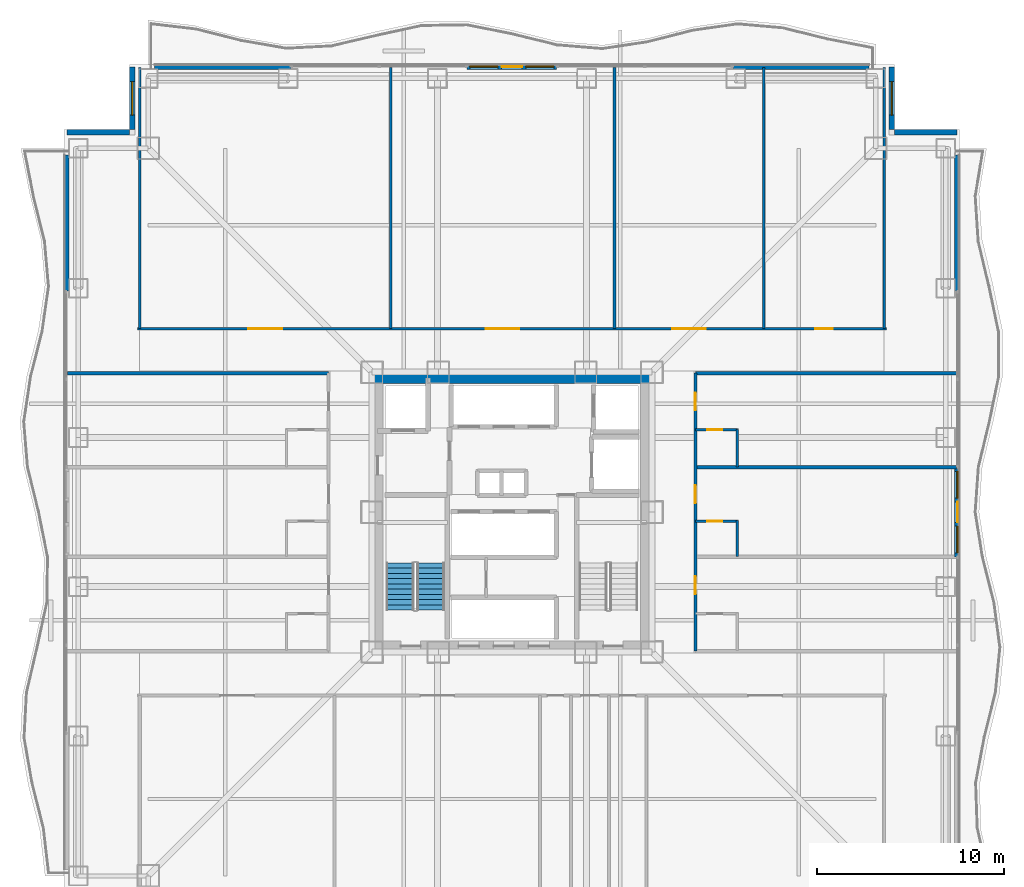
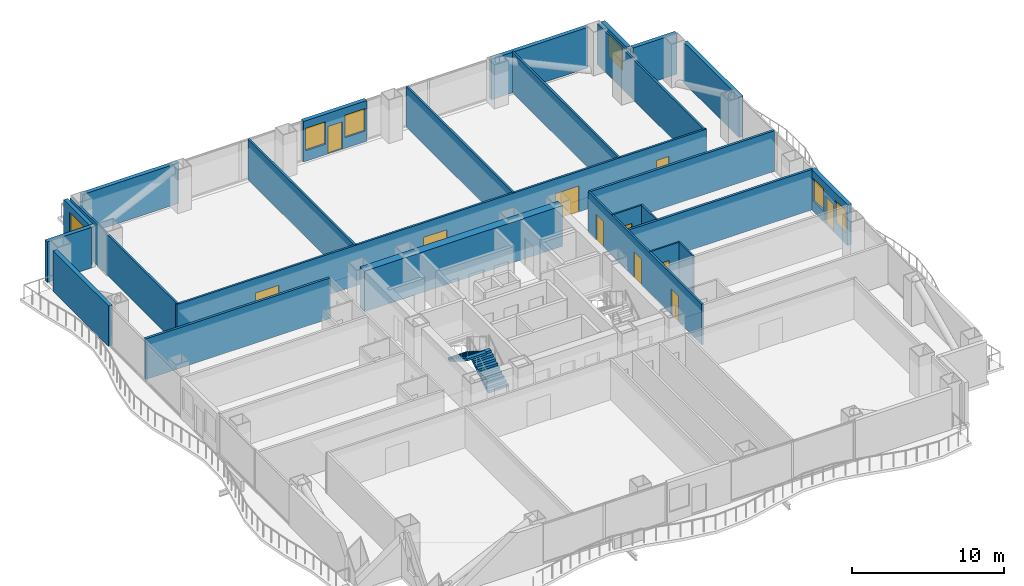
# One storey, part 16 of 24: 25 walls, 11 doors, 6 windows, 2 stair flights, 17 openings, 1 element without a shape of its own.
"""IFC4 building model written with IfcOpenShell, lengths in metres."""

from ifc_helpers import new_model, si_unit, direction, frame, frame_2d, origin, place, context, subcontext, project, spatial, polyline, rectangle, outline, extrude, material, layer, layer_set, type_object, element, fill, aggregate, save


model = new_model("IFC4")

# Units and contexts
model_context = context("Model", 3, precision=1e-05, world=origin(), true_north=direction((0.0, 1.0)))
body_context = subcontext(model_context, "Body", "Model", "MODEL_VIEW")
ifc_project = project(units=[si_unit("LENGTHUNIT", "METRE"), si_unit("AREAUNIT", "SQUARE_METRE"), si_unit("VOLUMEUNIT", "CUBIC_METRE"), si_unit("PLANEANGLEUNIT", "RADIAN"), si_unit("MASSUNIT", "GRAM", prefix="KILO")], contexts=[model_context])

# Site, building, storey
site_placement = place(None, origin())
site = spatial("IfcSite", under=ifc_project, at=site_placement, CompositionType="ELEMENT")
building_placement = place(site_placement, origin())
building = spatial("IfcBuilding", under=site, at=building_placement, Name="Trevonay Congress Spire", CompositionType="ELEMENT")
storey_placement = place(building_placement, frame((0.0, 0.0, 55.0)))
storey = spatial("IfcBuildingStorey", under=building, at=storey_placement, Name="L13", CompositionType="ELEMENT", Elevation=55.0)

# Wall, opening, door
ifc_material_1 = material(Name="Concrete C40/50", Category="concrete")
ifc_layer_1 = layer(ifc_material_1, 0.1201171875, Name="Concrete C40/50")
ifc_layer_set_1 = layer_set([ifc_layer_1], Name="Concrete C40/50")
wall_type_1 = type_object("IfcWallType", Name="WAL-BATH-120", PredefinedType="PLUMBINGWALL", material=ifc_layer_set_1)
wall_1_placement = place(storey_placement, frame((9.830078125, -0.487060546875, 0.0), z_axis=(0.0, 0.0, 1.0), x_axis=(1.0, 0.0, 0.0)))
wall_1 = element("IfcWall", 1, at=wall_1_placement, inside=storey, type_object=wall_type_1, Name="L13 interior wall WH-L13E-BS2", PredefinedType="PLUMBINGWALL", context=body_context, shape_type="SweptSolid", body=[
    extrude(rectangle(XDim=2.25, YDim=0.1201171875, at=frame_2d((1.125, 0.0))), origin(), (0.0, 0.0, 1.0), 3.25),
])
opening_1_placement = place(wall_1_placement, frame((0.64990234375, 0.0, 0.0)))
opening_1 = element("IfcOpeningElement", 2, at=opening_1_placement, cuts=wall_1, Name="Opening D11", PredefinedType="OPENING", context=body_context, shape_type="SweptSolid", body=[
    extrude(rectangle(XDim=0.800048828125, YDim=2.050048828125, at=frame_2d((0.39990234375, 1.02490234375))), frame((0.0, 0.070068359375, 0.0), z_axis=(0.0, -1.0, 0.0), x_axis=(1.0, 0.0, 0.0)), (0.0, 0.0, 1.0), 0.14013671875),
])
ifc_material_2 = material(Name="Pale Anodised Aluminium EN AW-6063-T6", Category="aluminium")
door_type_1 = type_object("IfcDoorType", Name="DOR-BATH-80", OperationType="NOTDEFINED", PredefinedType="DOOR", material=ifc_material_2)
door_1_placement = place(opening_1_placement, origin())
door_1 = element("IfcDoor", 3, at=door_1_placement, inside=storey, type_object=door_type_1, Name="L13 En-suite Bathroom Door", OperationType="SINGLE_SWING_LEFT", OverallHeight=2.050048828125, OverallWidth=0.800048828125, PredefinedType="DOOR", context=body_context, shape_type="SweptSolid", body=[
    extrude(rectangle(XDim=0.800048828125, YDim=2.050048828125, at=frame_2d((0.39990234375, 1.02490234375))), frame((0.0, 0.02490234375, 0.0), z_axis=(0.0, -1.0, 0.0), x_axis=(1.0, 0.0, 0.0)), (0.0, 0.0, 1.0), 0.050048828125),
])
fill(opening_1, door_1)

# Wall
wall_2_placement = place(storey_placement, frame((12.080078125, -2.3701171875, 0.0), z_axis=(0.0, 0.0, 1.0), x_axis=(0.0, 1.0, 0.0)))
element("IfcWall", 4, at=wall_2_placement, inside=storey, type_object=wall_type_1, Name="L13 interior wall WH-L13E-BF2", PredefinedType="PLUMBINGWALL", context=body_context, shape_type="SweptSolid", body=[
    extrude(rectangle(XDim=1.9130859375, YDim=0.1201171875, at=frame_2d((0.95654296875, 0.0))), origin(), (0.0, 0.0, 1.0), 3.25),
])

# Wall, opening, door
wall_3_placement = place(storey_placement, frame((9.830078125, 4.407958984375, 0.0), z_axis=(0.0, 0.0, 1.0), x_axis=(1.0, 0.0, 0.0)))
wall_3 = element("IfcWall", 5, at=wall_3_placement, inside=storey, type_object=wall_type_1, Name="L13 interior wall WH-L13E-BS3", PredefinedType="PLUMBINGWALL", context=body_context, shape_type="SweptSolid", body=[
    extrude(rectangle(XDim=2.25, YDim=0.1201171875, at=frame_2d((1.125, 0.0))), origin(), (0.0, 0.0, 1.0), 3.25),
])
opening_2_placement = place(wall_3_placement, frame((0.64990234375, 0.0, 0.0)))
opening_2 = element("IfcOpeningElement", 6, at=opening_2_placement, cuts=wall_3, Name="Opening D11", PredefinedType="OPENING", context=body_context, shape_type="SweptSolid", body=[
    extrude(rectangle(XDim=0.800048828125, YDim=2.050048828125, at=frame_2d((0.39990234375, 1.02490234375))), frame((0.0, 0.070068359375, 0.0), z_axis=(0.0, -1.0, 0.0), x_axis=(1.0, 0.0, 0.0)), (0.0, 0.0, 1.0), 0.14013671875),
])
door_2_placement = place(opening_2_placement, origin())
door_2 = element("IfcDoor", 7, at=door_2_placement, inside=storey, type_object=door_type_1, Name="L13 En-suite Bathroom Door", OperationType="SINGLE_SWING_RIGHT", OverallHeight=2.050048828125, OverallWidth=0.800048828125, PredefinedType="DOOR", context=body_context, shape_type="SweptSolid", body=[
    extrude(rectangle(XDim=0.800048828125, YDim=2.050048828125, at=frame_2d((0.39990234375, 1.02490234375))), frame((0.0, 0.02490234375, 0.0), z_axis=(0.0, -1.0, 0.0), x_axis=(1.0, 0.0, 0.0)), (0.0, 0.0, 1.0), 0.050048828125),
])
fill(opening_2, door_2)

# Walls
wall_4_placement = place(storey_placement, frame((12.080078125, 2.429931640625, 0.0), z_axis=(0.0, 0.0, 1.0), x_axis=(0.0, 1.0, 0.0)))
element("IfcWall", 8, at=wall_4_placement, inside=storey, type_object=wall_type_1, Name="L13 interior wall WH-L13E-BF3", PredefinedType="PLUMBINGWALL", context=body_context, shape_type="SweptSolid", body=[
    extrude(rectangle(XDim=2.008056640625, YDim=0.1201171875, at=frame_2d((1.00390625, 0.0))), origin(), (0.0, 0.0, 1.0), 3.25),
])
ifc_material_3 = material(Name="Concrete C60/75", Category="concrete")
ifc_layer_2 = layer(ifc_material_3, 0.60009765625, Name="Concrete C60/75")
ifc_layer_set_2 = layer_set([ifc_layer_2], Name="Concrete C60/75")
wall_type_2 = type_object("IfcWallType", Name="WAL-CORE-600", PredefinedType="SHEAR", material=ifc_layer_set_2)
wall_5_placement = place(storey_placement, frame((-7.5, 7.199951171875, 0.0), z_axis=(0.0, 0.0, 1.0), x_axis=(1.0, 0.0, 0.0)))
element("IfcWall", 9, at=wall_5_placement, inside=storey, type_object=wall_type_2, Name="L13 North structural core shear wall", PredefinedType="SHEAR", context=body_context, shape_type="SweptSolid", body=[
    extrude(rectangle(XDim=15.0, YDim=0.60009765625, at=frame_2d((7.5, 0.0))), origin(), (0.0, 0.0, 1.0), 3.25),
])

# Wall, openings, doors
ifc_layer_3 = layer(ifc_material_1, 0.14990234375, Name="Concrete C40/50")
ifc_layer_set_3 = layer_set([ifc_layer_3], Name="Concrete C40/50")
wall_type_3 = type_object("IfcWallType", Name="WAL-CORR-150", PredefinedType="PARTITIONING", material=ifc_layer_set_3)
wall_6_placement = place(storey_placement, frame((-20.070068359375, 9.830078125, 0.0), z_axis=(0.0, 0.0, 1.0), x_axis=(1.0, 0.0, 0.0)))
wall_6 = element("IfcWall", 10, at=wall_6_placement, inside=storey, type_object=wall_type_3, Name="L13 interior wall WP-L13N-COR", PredefinedType="PARTITIONING", context=body_context, shape_type="SweptSolid", body=[
    extrude(rectangle(XDim=40.14013671875, YDim=0.14990234375, at=frame_2d((20.070068359375, 0.0))), origin(), (0.0, 0.0, 1.0), 3.25),
])
opening_3_placement = place(wall_6_placement, frame((5.945068359375, 0.0, 0.0)))
opening_3 = element("IfcOpeningElement", 11, at=opening_3_placement, cuts=wall_6, Name="Opening D09", PredefinedType="OPENING", context=body_context, shape_type="SweptSolid", body=[
    extrude(rectangle(XDim=1.800048828125, YDim=2.080078125, at=frame_2d((0.89990234375, 1.0400390625))), frame((0.0, 0.0849609375, 0.0), z_axis=(0.0, -1.0, 0.0), x_axis=(1.0, 0.0, 0.0)), (0.0, 0.0, 1.0), 0.169921875),
])
opening_4_placement = place(wall_6_placement, frame((18.669921875, 0.0, 0.0)))
opening_4 = element("IfcOpeningElement", 12, at=opening_4_placement, cuts=wall_6, Name="Opening D09", PredefinedType="OPENING", context=body_context, shape_type="SweptSolid", body=[
    extrude(rectangle(XDim=1.800048828125, YDim=2.080078125, at=frame_2d((0.89990234375, 1.0400390625))), frame((0.0, 0.0849609375, 0.0), z_axis=(0.0, -1.0, 0.0), x_axis=(1.0, 0.0, 0.0)), (0.0, 0.0, 1.0), 0.169921875),
])
opening_5_placement = place(wall_6_placement, frame((28.669921875, 0.0, 0.0)))
opening_5 = element("IfcOpeningElement", 13, at=opening_5_placement, cuts=wall_6, Name="Opening D09", PredefinedType="OPENING", context=body_context, shape_type="SweptSolid", body=[
    extrude(rectangle(XDim=1.800048828125, YDim=2.080078125, at=frame_2d((0.89990234375, 1.0400390625))), frame((0.0, 0.0849609375, 0.0), z_axis=(0.0, -1.0, 0.0), x_axis=(1.0, 0.0, 0.0)), (0.0, 0.0, 1.0), 0.169921875),
])
opening_6_placement = place(wall_6_placement, frame((36.320068359375, 0.0, 0.0)))
opening_6 = element("IfcOpeningElement", 14, at=opening_6_placement, cuts=wall_6, Name="Opening D07", PredefinedType="OPENING", context=body_context, shape_type="SweptSolid", body=[
    extrude(rectangle(XDim=0.949951171875, YDim=2.06005859375, at=frame_2d((0.47509765625, 1.030029296875))), frame((0.0, 0.0849609375, 0.0), z_axis=(0.0, -1.0, 0.0), x_axis=(1.0, 0.0, 0.0)), (0.0, 0.0, 1.0), 0.169921875),
])
door_type_2 = type_object("IfcDoorType", Name="DOR-CONF-DBL", OperationType="DOUBLE_DOOR_SINGLE_SWING", PredefinedType="DOOR", material=ifc_material_2)
door_3_placement = place(opening_3_placement, origin())
door_3 = element("IfcDoor", 15, at=door_3_placement, inside=storey, type_object=door_type_2, Name="L13 Hotel Wellness Fitness Gym Door", OperationType="DOUBLE_DOOR_SINGLE_SWING", OverallHeight=2.080078125, OverallWidth=1.800048828125, PredefinedType="DOOR", context=body_context, shape_type="SweptSolid", body=[
    extrude(rectangle(XDim=1.800048828125, YDim=2.080078125, at=frame_2d((0.89990234375, 1.0400390625))), frame((0.0, 0.02490234375, 0.0), z_axis=(0.0, -1.0, 0.0), x_axis=(1.0, 0.0, 0.0)), (0.0, 0.0, 1.0), 0.050048828125),
])
fill(opening_3, door_3)
door_4_placement = place(opening_4_placement, origin())
door_4 = element("IfcDoor", 16, at=door_4_placement, inside=storey, type_object=door_type_2, Name="L13 Garden Terrace Brasserie Dining Door", OperationType="DOUBLE_DOOR_SINGLE_SWING", OverallHeight=2.080078125, OverallWidth=1.800048828125, PredefinedType="DOOR", context=body_context, shape_type="SweptSolid", body=[
    extrude(rectangle(XDim=1.800048828125, YDim=2.080078125, at=frame_2d((0.89990234375, 1.0400390625))), frame((0.0, 0.02490234375, 0.0), z_axis=(0.0, -1.0, 0.0), x_axis=(1.0, 0.0, 0.0)), (0.0, 0.0, 1.0), 0.050048828125),
])
fill(opening_4, door_4)
door_5_placement = place(opening_5_placement, origin())
door_5 = element("IfcDoor", 17, at=door_5_placement, inside=storey, type_object=door_type_2, Name="L13 Brasserie Show Kitchen Door", OperationType="DOUBLE_DOOR_SINGLE_SWING", OverallHeight=2.080078125, OverallWidth=1.800048828125, PredefinedType="DOOR", context=body_context, shape_type="SweptSolid", body=[
    extrude(rectangle(XDim=1.800048828125, YDim=2.080078125, at=frame_2d((0.89990234375, 1.0400390625))), frame((0.0, 0.02490234375, 0.0), z_axis=(0.0, -1.0, 0.0), x_axis=(1.0, 0.0, 0.0)), (0.0, 0.0, 1.0), 0.050048828125),
])
fill(opening_5, door_5)
door_type_3 = type_object("IfcDoorType", Name="DOR-OFFICE-95", OperationType="NOTDEFINED", PredefinedType="DOOR", material=ifc_material_2)
door_6_placement = place(opening_6_placement, origin())
door_6 = element("IfcDoor", 18, at=door_6_placement, inside=storey, type_object=door_type_3, Name="L13 Housekeeping and Linen Room Door", OperationType="SINGLE_SWING_LEFT", OverallHeight=2.06005859375, OverallWidth=0.949951171875, PredefinedType="DOOR", context=body_context, shape_type="SweptSolid", body=[
    extrude(rectangle(XDim=0.949951171875, YDim=2.06005859375, at=frame_2d((0.47509765625, 1.030029296875))), frame((0.0, 0.02490234375, 0.0), z_axis=(0.0, -1.0, 0.0), x_axis=(1.0, 0.0, 0.0)), (0.0, 0.0, 1.0), 0.050048828125),
])
fill(opening_6, door_6)

wall_7_placement = place(storey_placement, frame((9.830078125, -7.449951171875, 0.0), z_axis=(0.0, 0.0, 1.0), x_axis=(0.0, 1.0, 0.0)))
wall_7 = element("IfcWall", 19, at=wall_7_placement, inside=storey, type_object=wall_type_3, Name="L13 interior wall WH-L13E-COR", PredefinedType="PARTITIONING", context=body_context, shape_type="SweptSolid", body=[
    extrude(rectangle(XDim=14.89990234375, YDim=0.14990234375, at=frame_2d((7.449951171875, 0.0))), origin(), (0.0, 0.0, 1.0), 3.25),
])
opening_7_placement = place(wall_7_placement, frame((3.049072265625, 0.0, 0.0)))
opening_7 = element("IfcOpeningElement", 20, at=opening_7_placement, cuts=wall_7, Name="Opening D08", PredefinedType="OPENING", context=body_context, shape_type="SweptSolid", body=[
    extrude(rectangle(XDim=0.949951171875, YDim=2.080078125, at=frame_2d((0.47509765625, 1.0400390625))), frame((0.0, 0.0849609375, 0.0), z_axis=(0.0, -1.0, 0.0), x_axis=(1.0, 0.0, 0.0)), (0.0, 0.0, 1.0), 0.169921875),
])
opening_8_placement = place(wall_7_placement, frame((7.926513671875, 0.0, 0.0)))
opening_8 = element("IfcOpeningElement", 21, at=opening_8_placement, cuts=wall_7, Name="Opening D08", PredefinedType="OPENING", context=body_context, shape_type="SweptSolid", body=[
    extrude(rectangle(XDim=0.949951171875, YDim=2.080078125, at=frame_2d((0.47509765625, 1.0400390625))), frame((0.0, 0.0849609375, 0.0), z_axis=(0.0, -1.0, 0.0), x_axis=(1.0, 0.0, 0.0)), (0.0, 0.0, 1.0), 0.169921875),
])
opening_9_placement = place(wall_7_placement, frame((12.89892578125, 0.0, 0.0)))
opening_9 = element("IfcOpeningElement", 22, at=opening_9_placement, cuts=wall_7, Name="Opening D08", PredefinedType="OPENING", context=body_context, shape_type="SweptSolid", body=[
    extrude(rectangle(XDim=0.949951171875, YDim=2.080078125, at=frame_2d((0.47509765625, 1.0400390625))), frame((0.0, 0.0849609375, 0.0), z_axis=(0.0, -1.0, 0.0), x_axis=(1.0, 0.0, 0.0)), (0.0, 0.0, 1.0), 0.169921875),
])
door_type_4 = type_object("IfcDoorType", Name="DOR-SUITE-95", OperationType="NOTDEFINED", PredefinedType="DOOR", material=ifc_material_2)
door_7_placement = place(opening_7_placement, origin())
door_7 = element("IfcDoor", 23, at=door_7_placement, inside=storey, type_object=door_type_4, Name="L13 Corner Hotel Suite Entrance Door", OperationType="SINGLE_SWING_LEFT", OverallHeight=2.080078125, OverallWidth=0.949951171875, PredefinedType="DOOR", context=body_context, shape_type="SweptSolid", body=[
    extrude(rectangle(XDim=0.949951171875, YDim=2.080078125, at=frame_2d((0.47509765625, 1.0400390625))), frame((0.0, 0.02490234375, 0.0), z_axis=(0.0, -1.0, 0.0), x_axis=(1.0, 0.0, 0.0)), (0.0, 0.0, 1.0), 0.050048828125),
])
fill(opening_7, door_7)
door_8_placement = place(opening_8_placement, origin())
door_8 = element("IfcDoor", 24, at=door_8_placement, inside=storey, type_object=door_type_4, Name="L13 Corner Hotel Suite Entrance Door", OperationType="SINGLE_SWING_RIGHT", OverallHeight=2.080078125, OverallWidth=0.949951171875, PredefinedType="DOOR", context=body_context, shape_type="SweptSolid", body=[
    extrude(rectangle(XDim=0.949951171875, YDim=2.080078125, at=frame_2d((0.47509765625, 1.0400390625))), frame((0.0, 0.02490234375, 0.0), z_axis=(0.0, -1.0, 0.0), x_axis=(1.0, 0.0, 0.0)), (0.0, 0.0, 1.0), 0.050048828125),
])
fill(opening_8, door_8)
door_9_placement = place(opening_9_placement, origin())
door_9 = element("IfcDoor", 25, at=door_9_placement, inside=storey, type_object=door_type_4, Name="L13 Corner Hotel Suite Entrance Door", OperationType="SINGLE_SWING_LEFT", OverallHeight=2.080078125, OverallWidth=0.949951171875, PredefinedType="DOOR", context=body_context, shape_type="SweptSolid", body=[
    extrude(rectangle(XDim=0.949951171875, YDim=2.080078125, at=frame_2d((0.47509765625, 1.0400390625))), frame((0.0, 0.02490234375, 0.0), z_axis=(0.0, -1.0, 0.0), x_axis=(1.0, 0.0, 0.0)), (0.0, 0.0, 1.0), 0.050048828125),
])
fill(opening_9, door_9)

# Walls
ifc_material_4 = material(Name="Precast concrete C40/50", Category="concrete")
ifc_layer_4 = layer(ifc_material_4, 0.300048828125, Name="Precast concrete C40/50")
ifc_layer_set_4 = layer_set([ifc_layer_4], Name="Precast concrete C40/50")
wall_type_4 = type_object("IfcWallType", Name="WAL-EXT-PRECAST-300", PredefinedType="SOLIDWALL", material=ifc_layer_set_4)
for number, where, z_axis, x_axis, name in (
    (26, (-19.14990234375, 23.8798828125, 0.0), (0.0, 0.0, 1.0), (1.0, 0.0, 0.0), "L13 NL braced-bay exterior pier wall"),
    (27, (11.85009765625, 23.8798828125, 0.0), (0.0, 0.0, 1.0), (1.0, 0.0, 0.0), "L13 NR braced-bay exterior pier wall"),
):
    element("IfcWall", number, at=place(storey_placement, frame(where, z_axis=z_axis, x_axis=x_axis)), inside=storey, type_object=wall_type_4, Name=name, PredefinedType="SOLIDWALL", context=body_context, shape_type="SweptSolid", body=[
        extrude(rectangle(XDim=7.2998046875, YDim=0.300048828125, at=frame_2d((3.64990234375, 0.0))), origin(), (0.0, 0.0, 1.0), 3.25),
    ])

# Wall, openings, door, windows
wall_8_placement = place(storey_placement, frame((-2.39990234375, 23.8798828125, 0.0), z_axis=(0.0, 0.0, 1.0), x_axis=(1.0, 0.0, 0.0)))
wall_8 = element("IfcWall", 28, at=wall_8_placement, inside=storey, type_object=wall_type_4, Name="L13 N glazed balcony portal exterior wall", PredefinedType="SOLIDWALL", context=body_context, shape_type="SweptSolid", body=[
    extrude(rectangle(XDim=4.7998046875, YDim=0.300048828125, at=frame_2d((2.39990234375, 0.0))), origin(), (0.0, 0.0, 1.0), 3.25),
])
opening_10_placement = place(wall_8_placement, frame((1.85009765625, 0.0, 0.0)))
opening_10 = element("IfcOpeningElement", 29, at=opening_10_placement, cuts=wall_8, Name="Opening D03", PredefinedType="OPENING", context=body_context, shape_type="SweptSolid", body=[
    extrude(rectangle(XDim=1.10009765625, YDim=2.199951171875, at=frame_2d((0.550048828125, 1.10009765625))), frame((0.0, 0.16015625, 0.0), z_axis=(0.0, -1.0, 0.0), x_axis=(1.0, 0.0, 0.0)), (0.0, 0.0, 1.0), 0.320068359375),
])
opening_11_placement = place(wall_8_placement, frame((0.14990234375, 0.0, 0.85009765625)))
opening_11 = element("IfcOpeningElement", 30, at=opening_11_placement, cuts=wall_8, Name="Opening WN03", PredefinedType="OPENING", context=body_context, shape_type="SweptSolid", body=[
    extrude(rectangle(XDim=1.5, YDim=1.800048828125, at=frame_2d((0.75, 0.89990234375))), frame((0.0, 0.16015625, 0.0), z_axis=(0.0, -1.0, 0.0), x_axis=(1.0, 0.0, 0.0)), (0.0, 0.0, 1.0), 0.320068359375),
])
opening_12_placement = place(wall_8_placement, frame((3.14990234375, 0.0, 0.85009765625)))
opening_12 = element("IfcOpeningElement", 31, at=opening_12_placement, cuts=wall_8, Name="Opening WN03", PredefinedType="OPENING", context=body_context, shape_type="SweptSolid", body=[
    extrude(rectangle(XDim=1.5, YDim=1.800048828125, at=frame_2d((0.75, 0.89990234375))), frame((0.0, 0.16015625, 0.0), z_axis=(0.0, -1.0, 0.0), x_axis=(1.0, 0.0, 0.0)), (0.0, 0.0, 1.0), 0.320068359375),
])
door_type_5 = type_object("IfcDoorType", Name="DOR-EXT-BAL-110", OperationType="NOTDEFINED", PredefinedType="DOOR", material=ifc_material_2)
door_10_placement = place(opening_10_placement, origin())
door_10 = element("IfcDoor", 32, at=door_10_placement, inside=storey, type_object=door_type_5, Name="L13 N glazed outdoor terrace and balcony door", OperationType="SINGLE_SWING_RIGHT", OverallHeight=2.199951171875, OverallWidth=1.10009765625, PredefinedType="DOOR", context=body_context, shape_type="SweptSolid", body=[
    extrude(rectangle(XDim=1.10009765625, YDim=2.199951171875, at=frame_2d((0.550048828125, 1.10009765625))), frame((0.0, 0.02490234375, 0.0), z_axis=(0.0, -1.0, 0.0), x_axis=(1.0, 0.0, 0.0)), (0.0, 0.0, 1.0), 0.050048828125),
])
fill(opening_10, door_10)
ifc_material_5 = material(Name="Insulated Low-E Vision Glass IGU", Category="glass")
window_type_1 = type_object("IfcWindowType", Name="WIN-NOTCH-150X180", PartitioningType="SINGLE_PANEL", PredefinedType="WINDOW", material=ifc_material_5)
window_1_placement = place(opening_11_placement, origin())
window_1 = element("IfcWindow", 33, at=window_1_placement, inside=storey, type_object=window_type_1, Name="L13 N balcony sidelight window L", OverallHeight=1.800048828125, OverallWidth=1.5, PartitioningType="SINGLE_PANEL", PredefinedType="WINDOW", context=body_context, shape_type="SweptSolid", body=[
    extrude(rectangle(XDim=1.5, YDim=1.800048828125, at=frame_2d((0.75, 0.89990234375))), frame((0.0, 0.030029296875, 0.0), z_axis=(0.0, -1.0, 0.0), x_axis=(1.0, 0.0, 0.0)), (0.0, 0.0, 1.0), 0.06005859375),
])
fill(opening_11, window_1)
window_2_placement = place(opening_12_placement, origin())
window_2 = element("IfcWindow", 34, at=window_2_placement, inside=storey, type_object=window_type_1, Name="L13 N balcony sidelight window R", OverallHeight=1.800048828125, OverallWidth=1.5, PartitioningType="SINGLE_PANEL", PredefinedType="WINDOW", context=body_context, shape_type="SweptSolid", body=[
    extrude(rectangle(XDim=1.5, YDim=1.800048828125, at=frame_2d((0.75, 0.89990234375))), frame((0.0, 0.030029296875, 0.0), z_axis=(0.0, -1.0, 0.0), x_axis=(1.0, 0.0, 0.0)), (0.0, 0.0, 1.0), 0.06005859375),
])
fill(opening_12, window_2)

# Walls
for number, where, z_axis, x_axis, name in (
    (35, (-23.8798828125, 11.85009765625, 0.0), (0.0, 0.0, 1.0), (0.0, 1.0, 0.0), "L13 WR braced-bay exterior pier wall"),
    (36, (23.8798828125, 11.85009765625, 0.0), (0.0, 0.0, 1.0), (0.0, 1.0, 0.0), "L13 ER braced-bay exterior pier wall"),
):
    element("IfcWall", number, at=place(storey_placement, frame(where, z_axis=z_axis, x_axis=x_axis)), inside=storey, type_object=wall_type_4, Name=name, PredefinedType="SOLIDWALL", context=body_context, shape_type="SweptSolid", body=[
        extrude(rectangle(XDim=7.2998046875, YDim=0.300048828125, at=frame_2d((3.64990234375, 0.0))), origin(), (0.0, 0.0, 1.0), 3.25),
    ])

# Wall, openings, door, windows
wall_9_placement = place(storey_placement, frame((23.8798828125, -2.39990234375, 0.0), z_axis=(0.0, 0.0, 1.0), x_axis=(0.0, 1.0, 0.0)))
wall_9 = element("IfcWall", 37, at=wall_9_placement, inside=storey, type_object=wall_type_4, Name="L13 E glazed balcony portal exterior wall", PredefinedType="SOLIDWALL", context=body_context, shape_type="SweptSolid", body=[
    extrude(rectangle(XDim=4.7998046875, YDim=0.300048828125, at=frame_2d((2.39990234375, 0.0))), origin(), (0.0, 0.0, 1.0), 3.25),
])
opening_13_placement = place(wall_9_placement, frame((1.85009765625, 0.0, 0.0)))
opening_13 = element("IfcOpeningElement", 38, at=opening_13_placement, cuts=wall_9, Name="Opening D03", PredefinedType="OPENING", context=body_context, shape_type="SweptSolid", body=[
    extrude(rectangle(XDim=1.10009765625, YDim=2.199951171875, at=frame_2d((0.550048828125, 1.10009765625))), frame((0.0, 0.16015625, 0.0), z_axis=(0.0, -1.0, 0.0), x_axis=(1.0, 0.0, 0.0)), (0.0, 0.0, 1.0), 0.320068359375),
])
opening_14_placement = place(wall_9_placement, frame((0.219970703125, 0.0, 0.85009765625)))
opening_14 = element("IfcOpeningElement", 39, at=opening_14_placement, cuts=wall_9, Name="Opening WN06", PredefinedType="OPENING", context=body_context, shape_type="SweptSolid", body=[
    extrude(rectangle(XDim=1.429931640625, YDim=1.800048828125, at=frame_2d((0.71484375, 0.89990234375))), frame((0.0, 0.16015625, 0.0), z_axis=(0.0, -1.0, 0.0), x_axis=(1.0, 0.0, 0.0)), (0.0, 0.0, 1.0), 0.320068359375),
])
opening_15_placement = place(wall_9_placement, frame((3.14990234375, 0.0, 0.85009765625)))
opening_15 = element("IfcOpeningElement", 40, at=opening_15_placement, cuts=wall_9, Name="Opening WN06", PredefinedType="OPENING", context=body_context, shape_type="SweptSolid", body=[
    extrude(rectangle(XDim=1.429931640625, YDim=1.800048828125, at=frame_2d((0.71484375, 0.89990234375))), frame((0.0, 0.16015625, 0.0), z_axis=(0.0, -1.0, 0.0), x_axis=(1.0, 0.0, 0.0)), (0.0, 0.0, 1.0), 0.320068359375),
])
door_11_placement = place(opening_13_placement, origin())
door_11 = element("IfcDoor", 41, at=door_11_placement, inside=storey, type_object=door_type_5, Name="L13 E glazed outdoor terrace and balcony door", OperationType="SINGLE_SWING_RIGHT", OverallHeight=2.199951171875, OverallWidth=1.10009765625, PredefinedType="DOOR", context=body_context, shape_type="SweptSolid", body=[
    extrude(rectangle(XDim=1.10009765625, YDim=2.199951171875, at=frame_2d((0.550048828125, 1.10009765625))), frame((0.0, 0.02490234375, 0.0), z_axis=(0.0, -1.0, 0.0), x_axis=(1.0, 0.0, 0.0)), (0.0, 0.0, 1.0), 0.050048828125),
])
fill(opening_13, door_11)
window_type_2 = type_object("IfcWindowType", Name="WIN-SIDELIGHT-143X180", PartitioningType="SINGLE_PANEL", PredefinedType="WINDOW", material=ifc_material_5)
window_3_placement = place(opening_14_placement, origin())
window_3 = element("IfcWindow", 42, at=window_3_placement, inside=storey, type_object=window_type_2, Name="L13 E balcony sidelight window L", OverallHeight=1.800048828125, OverallWidth=1.429931640625, PartitioningType="SINGLE_PANEL", PredefinedType="WINDOW", context=body_context, shape_type="SweptSolid", body=[
    extrude(rectangle(XDim=1.429931640625, YDim=1.800048828125, at=frame_2d((0.71484375, 0.89990234375))), frame((0.0, 0.030029296875, 0.0), z_axis=(0.0, -1.0, 0.0), x_axis=(1.0, 0.0, 0.0)), (0.0, 0.0, 1.0), 0.06005859375),
])
fill(opening_14, window_3)
window_4_placement = place(opening_15_placement, origin())
window_4 = element("IfcWindow", 43, at=window_4_placement, inside=storey, type_object=window_type_2, Name="L13 E balcony sidelight window R", OverallHeight=1.800048828125, OverallWidth=1.429931640625, PartitioningType="SINGLE_PANEL", PredefinedType="WINDOW", context=body_context, shape_type="SweptSolid", body=[
    extrude(rectangle(XDim=1.429931640625, YDim=1.800048828125, at=frame_2d((0.71484375, 0.89990234375))), frame((0.0, 0.030029296875, 0.0), z_axis=(0.0, -1.0, 0.0), x_axis=(1.0, 0.0, 0.0)), (0.0, 0.0, 1.0), 0.06005859375),
])
fill(opening_15, window_4)

# Wall, opening, window
wall_10_placement = place(storey_placement, frame((20.35009765625, 23.85009765625, 0.0), z_axis=(0.0, 0.0, 1.0), x_axis=(0.0, -1.0, 0.0)))
wall_10 = element("IfcWall", 44, at=wall_10_placement, inside=storey, type_object=wall_type_4, Name="L13 NE re-entrant notch exterior wall 1", PredefinedType="SOLIDWALL", context=body_context, shape_type="SweptSolid", body=[
    extrude(rectangle(XDim=3.35009765625, YDim=0.300048828125, at=frame_2d((1.675048828125, 0.0))), origin(), (0.0, 0.0, 1.0), 3.25),
])
opening_16_placement = place(wall_10_placement, frame((0.77490234375, 0.0, 0.89990234375)))
opening_16 = element("IfcOpeningElement", 45, at=opening_16_placement, cuts=wall_10, Name="Opening WN01", PredefinedType="OPENING", context=body_context, shape_type="SweptSolid", body=[
    extrude(rectangle(XDim=1.800048828125, YDim=1.800048828125, at=frame_2d((0.89990234375, 0.89990234375))), frame((0.0, 0.16015625, 0.0), z_axis=(0.0, -1.0, 0.0), x_axis=(1.0, 0.0, 0.0)), (0.0, 0.0, 1.0), 0.320068359375),
])
window_type_3 = type_object("IfcWindowType", Name="WIN-HOTEL-180X180", PartitioningType="SINGLE_PANEL", PredefinedType="WINDOW", material=ifc_material_5)
window_5_placement = place(opening_16_placement, origin())
window_5 = element("IfcWindow", 46, at=window_5_placement, inside=storey, type_object=window_type_3, Name="L13 NE corner notch window", OverallHeight=1.800048828125, OverallWidth=1.800048828125, PartitioningType="SINGLE_PANEL", PredefinedType="WINDOW", context=body_context, shape_type="SweptSolid", body=[
    extrude(rectangle(XDim=1.800048828125, YDim=1.800048828125, at=frame_2d((0.89990234375, 0.89990234375))), frame((0.0, 0.030029296875, 0.0), z_axis=(0.0, -1.0, 0.0), x_axis=(1.0, 0.0, 0.0)), (0.0, 0.0, 1.0), 0.06005859375),
])
fill(opening_16, window_5)

# Wall
wall_11_placement = place(storey_placement, frame((23.85009765625, 20.35009765625, 0.0), z_axis=(0.0, 0.0, 1.0), x_axis=(-1.0, 0.0, 0.0)))
element("IfcWall", 47, at=wall_11_placement, inside=storey, type_object=wall_type_4, Name="L13 NE re-entrant notch exterior wall 2", PredefinedType="SOLIDWALL", context=body_context, shape_type="SweptSolid", body=[
    extrude(rectangle(XDim=3.35009765625, YDim=0.300048828125, at=frame_2d((1.675048828125, 0.0))), origin(), (0.0, 0.0, 1.0), 3.25),
])

# Wall, opening, window
wall_12_placement = place(storey_placement, frame((-20.35009765625, 23.85009765625, 0.0), z_axis=(0.0, 0.0, 1.0), x_axis=(0.0, -1.0, 0.0)))
wall_12 = element("IfcWall", 48, at=wall_12_placement, inside=storey, type_object=wall_type_4, Name="L13 NW re-entrant notch exterior wall 1", PredefinedType="SOLIDWALL", context=body_context, shape_type="SweptSolid", body=[
    extrude(rectangle(XDim=3.35009765625, YDim=0.300048828125, at=frame_2d((1.675048828125, 0.0))), origin(), (0.0, 0.0, 1.0), 3.25),
])
opening_17_placement = place(wall_12_placement, frame((0.77490234375, 0.0, 0.89990234375)))
opening_17 = element("IfcOpeningElement", 49, at=opening_17_placement, cuts=wall_12, Name="Opening WN01", PredefinedType="OPENING", context=body_context, shape_type="SweptSolid", body=[
    extrude(rectangle(XDim=1.800048828125, YDim=1.800048828125, at=frame_2d((0.89990234375, 0.89990234375))), frame((0.0, 0.16015625, 0.0), z_axis=(0.0, -1.0, 0.0), x_axis=(1.0, 0.0, 0.0)), (0.0, 0.0, 1.0), 0.320068359375),
])
window_6_placement = place(opening_17_placement, origin())
window_6 = element("IfcWindow", 50, at=window_6_placement, inside=storey, type_object=window_type_3, Name="L13 NW corner notch window", OverallHeight=1.800048828125, OverallWidth=1.800048828125, PartitioningType="SINGLE_PANEL", PredefinedType="WINDOW", context=body_context, shape_type="SweptSolid", body=[
    extrude(rectangle(XDim=1.800048828125, YDim=1.800048828125, at=frame_2d((0.89990234375, 0.89990234375))), frame((0.0, 0.030029296875, 0.0), z_axis=(0.0, -1.0, 0.0), x_axis=(1.0, 0.0, 0.0)), (0.0, 0.0, 1.0), 0.06005859375),
])
fill(opening_17, window_6)

# Walls
wall_13_placement = place(storey_placement, frame((-23.85009765625, 20.35009765625, 0.0), z_axis=(0.0, 0.0, 1.0), x_axis=(1.0, 0.0, 0.0)))
element("IfcWall", 51, at=wall_13_placement, inside=storey, type_object=wall_type_4, Name="L13 NW re-entrant notch exterior wall 2", PredefinedType="SOLIDWALL", context=body_context, shape_type="SweptSolid", body=[
    extrude(rectangle(XDim=3.35009765625, YDim=0.300048828125, at=frame_2d((1.675048828125, 0.0))), origin(), (0.0, 0.0, 1.0), 3.25),
])
ifc_layer_5 = layer(ifc_material_1, 0.179931640625, Name="Concrete C40/50")
ifc_layer_set_5 = layer_set([ifc_layer_5], Name="Concrete C40/50")
wall_type_5 = type_object("IfcWallType", Name="WAL-HOTEL-180", PredefinedType="PARTITIONING", material=ifc_layer_set_5)
for number, where, z_axis, x_axis, name in (
    (52, (-23.820068359375, 7.449951171875, 0.0), (0.0, 0.0, 1.0), (1.0, 0.0, 0.0), "L13 interior wall WH-L13W-DIV4"),
    (53, (9.830078125, 2.39990234375, 0.0), (0.0, 0.0, 1.0), (1.0, 0.0, 0.0), "L13 interior wall WH-L13E-DIV3"),
    (54, (9.830078125, 7.449951171875, 0.0), (0.0, 0.0, 1.0), (1.0, 0.0, 0.0), "L13 interior wall WH-L13E-DIV4"),
):
    element("IfcWall", number, at=place(storey_placement, frame(where, z_axis=z_axis, x_axis=x_axis)), inside=storey, type_object=wall_type_5, Name=name, PredefinedType="PARTITIONING", context=body_context, shape_type="SweptSolid", body=[
        extrude(rectangle(XDim=13.989990234375, YDim=0.179931640625, at=frame_2d((6.9951171875, 0.0))), origin(), (0.0, 0.0, 1.0), 3.25),
    ])
ifc_layer_6 = layer(ifc_material_1, 0.14990234375, Name="Concrete C40/50")
ifc_layer_set_6 = layer_set([ifc_layer_6], Name="Concrete C40/50")
wall_type_6 = type_object("IfcWallType", Name="WAL-PART-150", PredefinedType="PARTITIONING", material=ifc_layer_set_6)
for number, where, z_axis, x_axis, name in (
    (55, (-19.949951171875, 9.830078125, 0.0), (0.0, 0.0, 1.0), (0.0, 1.0, 0.0), "L13 interior wall WP-L13N-DIV1"),
    (56, (-6.5, 9.830078125, 0.0), (0.0, 0.0, 1.0), (0.0, 1.0, 0.0), "L13 interior wall WP-L13N-DIV2"),
    (57, (5.5, 9.830078125, 0.0), (0.0, 0.0, 1.0), (0.0, 1.0, 0.0), "L13 interior wall WP-L13N-DIV3"),
    (58, (13.5, 9.830078125, 0.0), (0.0, 0.0, 1.0), (0.0, 1.0, 0.0), "L13 interior wall WP-L13N-DIV4"),
    (59, (19.949951171875, 9.830078125, 0.0), (0.0, 0.0, 1.0), (0.0, 1.0, 0.0), "L13 interior wall WP-L13N-DIV5"),
):
    element("IfcWall", number, at=place(storey_placement, frame(where, z_axis=z_axis, x_axis=x_axis)), inside=storey, type_object=wall_type_6, Name=name, PredefinedType="PARTITIONING", context=body_context, shape_type="SweptSolid", body=[
        extrude(rectangle(XDim=13.989990234375, YDim=0.14990234375, at=frame_2d((6.9951171875, 0.0))), origin(), (0.0, 0.0, 1.0), 3.25),
    ])

# Stair, stair flights
stair_type = type_object("IfcStairType", Name="STR-ST-1", PredefinedType="HALF_TURN_STAIR", material=ifc_material_1)
stair_placement = place(storey_placement, origin())
stair = element("IfcStair", 60, at=stair_placement, inside=storey, type_object=stair_type, Name="L13 Protected Exit Stair ST-1", PredefinedType="HALF_TURN_STAIR")
stair_flight_type = type_object("IfcStairFlightType", Name="SFL-ST-1", PredefinedType="STRAIGHT", material=ifc_material_1)
stair_flight_1_placement = place(storey_placement, frame((-4.35009765625, -5.25, 0.0), z_axis=(0.0, 0.0, 1.0), x_axis=(0.0, 1.0, 0.0)))
stair_flight_1 = element("IfcStairFlight", 61, at=stair_flight_1_placement, type_object=stair_flight_type, Name="ST-1 flight 1", NumberOfRisers=10, NumberOfTreads=9, PredefinedType="STRAIGHT", RiserHeight=0.175, TreadLength=0.28, context=body_context, shape_type="SweptSolid", body=[
    extrude(outline(polyline([(0.0, 0.0), (0.0, 0.175048828125), (0.280029296875, 0.175048828125), (0.280029296875, 0.35009765625), (0.56005859375, 0.35009765625), (0.56005859375, 0.52490234375), (0.840087890625, 0.52490234375), (0.840087890625, 0.699951171875), (1.1201171875, 0.699951171875), (1.1201171875, 0.875), (1.39990234375, 0.875), (1.39990234375, 1.050048828125), (1.679931640625, 1.050048828125), (1.679931640625, 1.22509765625), (1.9599609375, 1.22509765625), (1.9599609375, 1.39990234375), (2.239990234375, 1.39990234375), (2.239990234375, 1.574951171875), (2.52001953125, 1.574951171875), (2.52001953125, 1.75), (2.52001953125, 1.398193359375), (0.28271484375, 0.0), (0.0, 0.0)])), frame((0.0, 0.75, 0.0), z_axis=(0.0, -1.0, 0.0), x_axis=(1.0, 0.0, 0.0)), (0.0, 0.0, 1.0), 1.5),
])
stair_flight_2_placement = place(storey_placement, frame((-6.0, -2.72998046875, 1.75), z_axis=(0.0, 0.0, 1.0), x_axis=(0.0, -1.0, 0.0)))
stair_flight_2 = element("IfcStairFlight", 62, at=stair_flight_2_placement, type_object=stair_flight_type, Name="ST-1 flight 2", NumberOfRisers=10, NumberOfTreads=9, PredefinedType="STRAIGHT", RiserHeight=0.175, TreadLength=0.28, context=body_context, shape_type="SweptSolid", body=[
    extrude(outline(polyline([(0.0, 0.0), (0.0, 0.175048828125), (0.280029296875, 0.175048828125), (0.280029296875, 0.35009765625), (0.56005859375, 0.35009765625), (0.56005859375, 0.52490234375), (0.840087890625, 0.52490234375), (0.840087890625, 0.699951171875), (1.1201171875, 0.699951171875), (1.1201171875, 0.875), (1.39990234375, 0.875), (1.39990234375, 1.050048828125), (1.679931640625, 1.050048828125), (1.679931640625, 1.22509765625), (1.9599609375, 1.22509765625), (1.9599609375, 1.39990234375), (2.239990234375, 1.39990234375), (2.239990234375, 1.574951171875), (2.52001953125, 1.574951171875), (2.52001953125, 1.75), (2.52001953125, 1.398193359375), (0.28271484375, 0.0), (0.0, 0.0)])), frame((0.0, 0.75, 0.0), z_axis=(0.0, -1.0, 0.0), x_axis=(1.0, 0.0, 0.0)), (0.0, 0.0, 1.0), 1.5),
])
aggregate(stair, [stair_flight_1, stair_flight_2])

save(model, "model.ifc")
